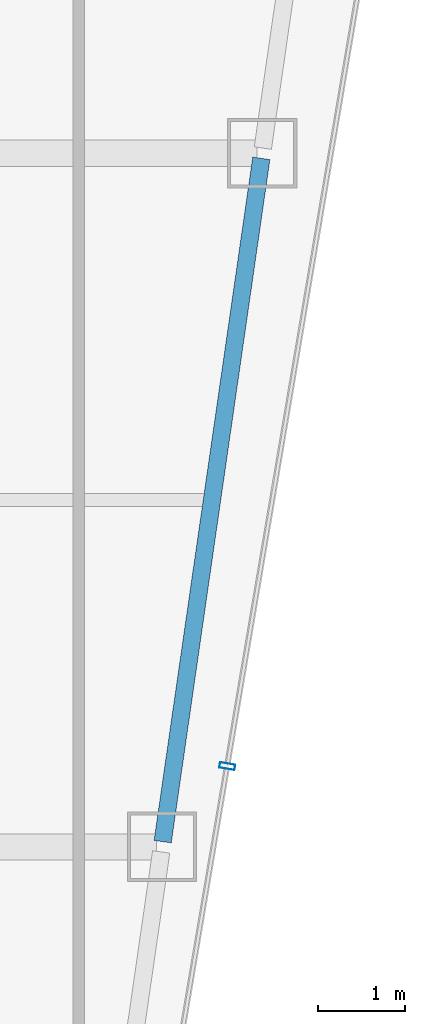
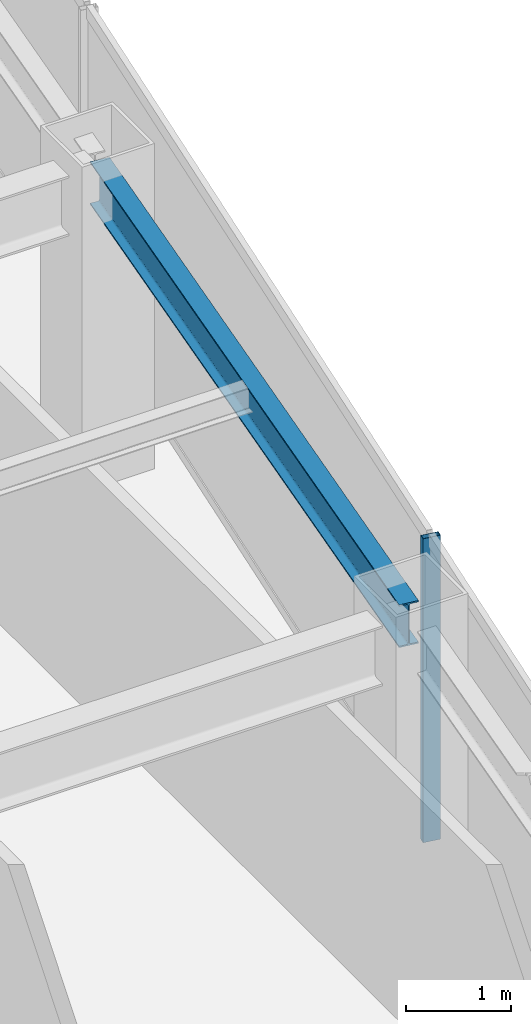
# One storey, part 20 of 36: 1 beam, 1 member, 1 element without a shape of its own.
"""IFC4 building model written with IfcOpenShell, lengths in metres."""

from ifc_helpers import new_model, si_unit, direction, frame, origin, origin_2d, place, context, subcontext, project, spatial, hollow_rectangle, i_section, extrude, material, material_profile, profile_set, type_object, element, aggregate, save


model = new_model("IFC4")

# Units and contexts
model_context = context("Model", 3, precision=1e-05, world=origin(), true_north=direction((0.0, 1.0)))
body_context = subcontext(model_context, "Body", "Model", "MODEL_VIEW")
ifc_project = project(units=[si_unit("LENGTHUNIT", "METRE"), si_unit("AREAUNIT", "SQUARE_METRE"), si_unit("VOLUMEUNIT", "CUBIC_METRE"), si_unit("PLANEANGLEUNIT", "RADIAN"), si_unit("MASSUNIT", "GRAM", prefix="KILO")], contexts=[model_context])

# Site, building, storey
site_placement = place(None, origin())
site = spatial("IfcSite", under=ifc_project, at=site_placement, CompositionType="ELEMENT")
building_placement = place(site_placement, origin())
building = spatial("IfcBuilding", under=site, at=building_placement, Name="Saevonmaru Cultural Tower", CompositionType="ELEMENT")
storey_placement = place(building_placement, frame((0.0, 0.0, 205.60009765625)))
storey = spatial("IfcBuildingStorey", under=building, at=storey_placement, Name="L47", CompositionType="ELEMENT", Elevation=205.60009765625)

# Beam
ifc_material_1 = material(Name="Steel SM355", Category="steel")
ifc_material_profile_1 = material_profile(ifc_material_1, i_section(OverallWidth=0.199951171875, OverallDepth=0.5, WebThickness=0.010009765625, FlangeThickness=0.01611328125, FilletRadius=0.02001953125, at=origin_2d()), Name="H-500x200x10x16")
ifc_profile_set_1 = profile_set([ifc_material_profile_1], Name="Steel SM355")
beam_type = type_object("IfcBeamType", Name="BM-SP-H500", PredefinedType="SPANDREL", material=ifc_profile_set_1)
beam_placement = place(storey_placement, frame((50.53662109375, 24.059326171875, 3.2998046875), z_axis=(0.142871999001, 0.989741174197, 0.0), x_axis=(-0.989741174197, 0.142871999001, 0.0)))
element("IfcBeam", 1, at=beam_placement, inside=storey, type_object=beam_type, Name="L47 East Splayed Spandrel 2", PredefinedType="SPANDREL", context=body_context, shape_type="SweptSolid", body=[
    extrude(i_section(OverallWidth=0.199951171875, OverallDepth=0.5, WebThickness=0.010009765625, FlangeThickness=0.01611328125, FilletRadius=0.02001953125, at=origin_2d()), origin(), (0.0, 0.0, 1.0), 7.963134765625),
])

# Curtain wall, member
ifc_material_2 = material(Name="Satin Bronze Anodised Aluminium", Category="aluminium")
curtain_wall_type = type_object("IfcCurtainWallType", Name="CW-TYP-B", PredefinedType="NOTDEFINED", material=ifc_material_2)
curtain_wall_placement = place(storey_placement, origin())
curtain_wall = element("IfcCurtainWall", 2, at=curtain_wall_placement, inside=storey, type_object=curtain_wall_type, Name="L47 Unitised Curtain Wall E8", PredefinedType="NOTDEFINED")
ifc_material_profile_2 = material_profile(ifc_material_2, hollow_rectangle(XDim=0.06494140625, YDim=0.179931640625, WallThickness=0.00390625, at=origin_2d()), Name="ALU-MULL-180x65x4")
ifc_profile_set_2 = profile_set([ifc_material_profile_2], Name="Satin Bronze Anodised Aluminium")
member_type = type_object("IfcMemberType", Name="ML-CW-180x65", PredefinedType="MULLION", material=ifc_profile_set_2)
member_placement = place(storey_placement, frame((51.28173828125, 24.9296875, 0.0), z_axis=(0.0, 0.0, 1.0), x_axis=(0.16692169721, 0.985970155228, 0.0)))
member = element("IfcMember", 3, at=member_placement, type_object=member_type, Name="CW-TW-L47-E8 mullion 2", PredefinedType="MULLION", context=body_context, shape_type="SweptSolid", body=[
    extrude(hollow_rectangle(XDim=0.06494140625, YDim=0.179931640625, WallThickness=0.00390625, at=origin_2d()), origin(), (0.0, 0.0, 1.0), 3.5498046875),
])
aggregate(curtain_wall, [member])

save(model, "model.ifc")
